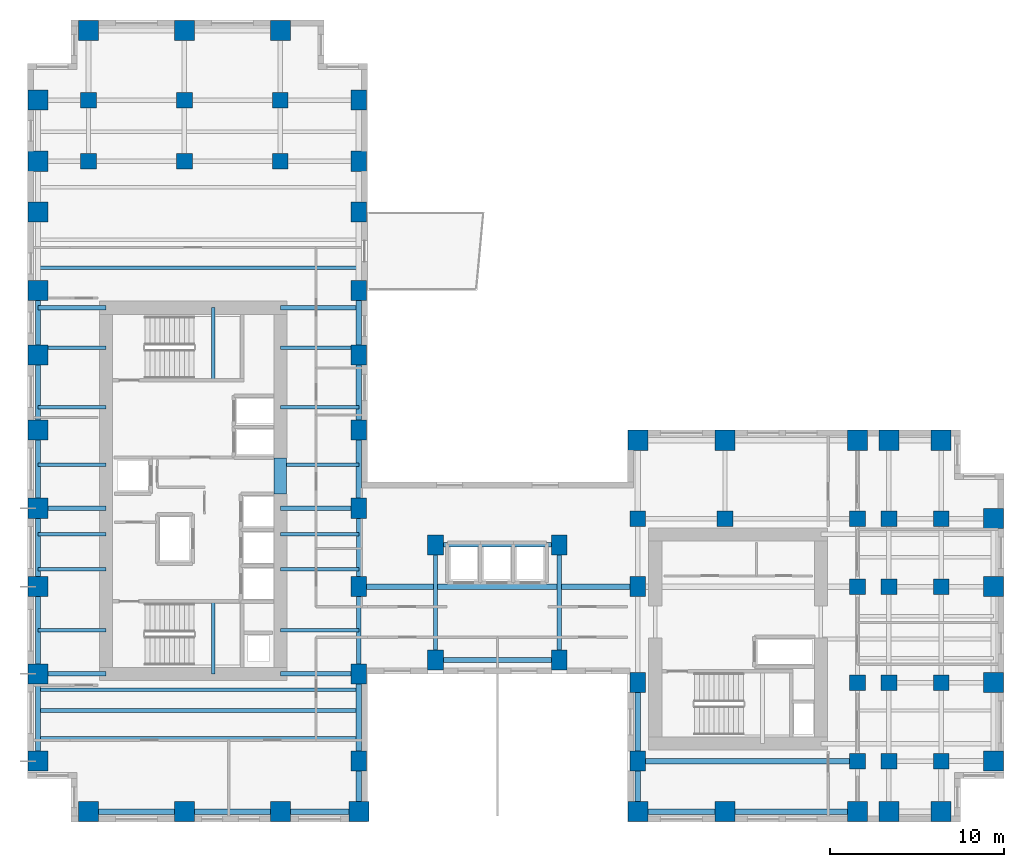
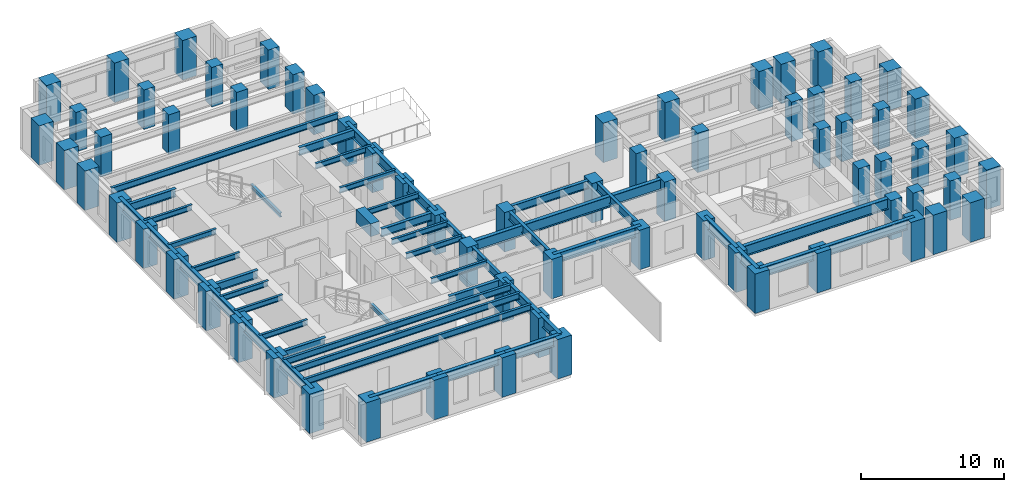
# One storey, part 1 of 11: 68 columns, 51 beams.
"""IFC4 building model written with IfcOpenShell, lengths in metres."""

from ifc_helpers import new_model, si_unit, direction, frame, origin, origin_2d, place, context, subcontext, project, spatial, rectangle, i_section, extrude, source, transform, mapped, material, material_profile, profile_set, type_object, element, save


model = new_model("IFC4")

# Units and contexts
model_context = context("Model", 3, precision=1e-05, world=origin(), true_north=direction((0.0, 1.0)))
body_context = subcontext(model_context, "Body", "Model", "MODEL_VIEW")
ifc_project = project(units=[si_unit("LENGTHUNIT", "METRE"), si_unit("AREAUNIT", "SQUARE_METRE"), si_unit("VOLUMEUNIT", "CUBIC_METRE"), si_unit("PLANEANGLEUNIT", "RADIAN"), si_unit("MASSUNIT", "GRAM", prefix="KILO")], contexts=[model_context])

# Site, building, storey
site_placement = place(None, origin())
site = spatial("IfcSite", under=ifc_project, at=site_placement, CompositionType="ELEMENT")
building_placement = place(site_placement, origin())
building = spatial("IfcBuilding", under=site, at=building_placement, Name="Kharzan Plaza Tower", CompositionType="ELEMENT")
storey_placement = place(building_placement, frame((0.0, 0.0, 99.0)))
storey = spatial("IfcBuildingStorey", under=building, at=storey_placement, Name="L26", CompositionType="ELEMENT", Elevation=99.0)

# Columns
ifc_material_1 = material(Name="Concrete C50/60", Category="concrete")
ifc_material_profile_1 = material_profile(ifc_material_1, rectangle(XDim=0.89990234375, YDim=0.89990234375, at=origin_2d()), Name="RC-IC900x900")
ifc_profile_set_1 = profile_set([ifc_material_profile_1], Name="Concrete C50/60")
column_type_1 = type_object("IfcColumnType", Name="COL-IC900", PredefinedType="COLUMN", material=ifc_profile_set_1)
shared_shape_1 = source(origin(), body_context, "Body", "SweptSolid", [
    extrude(rectangle(XDim=0.89990234375, YDim=0.89990234375, at=origin_2d()), origin(), (0.0, 0.0, 1.0), 3.3798828125),
])
for number, where, z_axis, x_axis, name in (
    (1, (47.60009765625, 13.5, 0.0), (0.0, 0.0, 1.0), (1.0, 0.0, 0.0), "L26 Structural Column TCBI-135"),
    (2, (47.60009765625, 3.5, 0.0), (0.0, 0.0, 1.0), (1.0, 0.0, 0.0), "L26 Structural Column TCBI-35"),
    (3, (47.60009765625, 8.0, 0.0), (0.0, 0.0, 1.0), (1.0, 0.0, 0.0), "L26 Structural Column TCBI-80"),
    (4, (35.0, 17.39990234375, 0.0), (0.0, 0.0, 1.0), (1.0, 0.0, 0.0), "L26 Structural Column TCBN-350-174"),
    (5, (40.0, 17.39990234375, 0.0), (0.0, 0.0, 1.0), (1.0, 0.0, 0.0), "L26 Structural Column TCBN-400-174"),
    (6, (47.60009765625, 17.39990234375, 0.0), (0.0, 0.0, 1.0), (1.0, 0.0, 0.0), "L26 Structural Column TCBN-476-174"),
    (7, (49.39990234375, 13.5, 0.0), (0.0, 0.0, 1.0), (1.0, 0.0, 0.0), "L26 Structural Column TCE-494-135"),
    (8, (49.39990234375, 17.39990234375, 0.0), (0.0, 0.0, 1.0), (1.0, 0.0, 0.0), "L26 Structural Column TCE-494-174"),
    (9, (49.39990234375, 3.5, 0.0), (0.0, 0.0, 1.0), (1.0, 0.0, 0.0), "L26 Structural Column TCE-494-35"),
    (10, (49.39990234375, 8.0, 0.0), (0.0, 0.0, 1.0), (1.0, 0.0, 0.0), "L26 Structural Column TCE-494-80"),
    (11, (52.39990234375, 13.5, 0.0), (0.0, 0.0, 1.0), (1.0, 0.0, 0.0), "L26 Structural Column TCE-524-135"),
    (12, (52.39990234375, 17.39990234375, 0.0), (0.0, 0.0, 1.0), (1.0, 0.0, 0.0), "L26 Structural Column TCE-524-174"),
    (13, (52.39990234375, 3.5, 0.0), (0.0, 0.0, 1.0), (1.0, 0.0, 0.0), "L26 Structural Column TCE-524-35"),
    (14, (52.39990234375, 8.0, 0.0), (0.0, 0.0, 1.0), (1.0, 0.0, 0.0), "L26 Structural Column TCE-524-80"),
    (15, (14.5, 37.89990234375, 0.0), (0.0, 0.0, 1.0), (1.0, 0.0, 0.0), "L26 Structural Column TCN-145-379"),
    (16, (14.5, 41.39990234375, 0.0), (0.0, 0.0, 1.0), (1.0, 0.0, 0.0), "L26 Structural Column TCN-145-414"),
    (17, (3.5, 37.89990234375, 0.0), (0.0, 0.0, 1.0), (1.0, 0.0, 0.0), "L26 Structural Column TCN-35-379"),
    (18, (3.5, 41.39990234375, 0.0), (0.0, 0.0, 1.0), (1.0, 0.0, 0.0), "L26 Structural Column TCN-35-414"),
    (19, (9.0, 37.89990234375, 0.0), (0.0, 0.0, 1.0), (1.0, 0.0, 0.0), "L26 Structural Column TCN-90-379"),
    (20, (9.0, 41.39990234375, 0.0), (0.0, 0.0, 1.0), (1.0, 0.0, 0.0), "L26 Structural Column TCN-90-414"),
):
    element("IfcColumn", number, at=place(storey_placement, frame(where, z_axis=z_axis, x_axis=x_axis)), inside=storey, type_object=column_type_1, Name=name, PredefinedType="COLUMN", context=body_context, shape_type="MappedRepresentation", body=[
        mapped(shared_shape_1, transform((0.0, 0.0, 0.0), x_axis=(1.0, 0.0, 0.0), y_axis=(0.0, 1.0, 0.0), z_axis=(0.0, 0.0, 1.0))),
    ])
ifc_material_2 = material(Name="Concrete C60/75", Category="concrete")
ifc_material_profile_2 = material_profile(ifc_material_2, rectangle(XDim=0.89990234375, YDim=1.14990234375, at=origin_2d()), Name="RC-SC1150x900")
ifc_profile_set_2 = profile_set([ifc_material_profile_2], Name="Concrete C60/75")
column_type_2 = type_object("IfcColumnType", Name="COL-SC1150", PredefinedType="COLUMN", material=ifc_profile_set_2)
shared_shape_2 = source(origin(), body_context, "Body", "SweptSolid", [
    extrude(rectangle(XDim=0.89990234375, YDim=1.14990234375, at=origin_2d()), origin(), (0.0, 0.0, 1.0), 3.3798828125),
])
for number, where, z_axis, x_axis, name in (
    (21, (19.0, 13.5, 0.0), (0.0, 0.0, 1.0), (1.0, 0.0, 0.0), "L26 Structural Column TCA-135"),
    (22, (19.0, 18.0, 0.0), (0.0, 0.0, 1.0), (1.0, 0.0, 0.0), "L26 Structural Column TCA-180"),
    (23, (19.0, 22.5, 0.0), (0.0, 0.0, 1.0), (1.0, 0.0, 0.0), "L26 Structural Column TCA-225"),
    (24, (19.0, 26.800048828125, 0.0), (0.0, 0.0, 1.0), (1.0, 0.0, 0.0), "L26 Structural Column TCA-268"),
    (25, (19.0, 30.5, 0.0), (0.0, 0.0, 1.0), (1.0, 0.0, 0.0), "L26 Structural Column TCA-305"),
    (26, (19.0, 3.5, 0.0), (0.0, 0.0, 1.0), (1.0, 0.0, 0.0), "L26 Structural Column TCA-35"),
    (27, (19.0, 35.0, 0.0), (0.0, 0.0, 1.0), (1.0, 0.0, 0.0), "L26 Structural Column TCA-350"),
    (28, (19.0, 37.89990234375, 0.0), (0.0, 0.0, 1.0), (1.0, 0.0, 0.0), "L26 Structural Column TCA-379"),
    (29, (19.0, 41.39990234375, 0.0), (0.0, 0.0, 1.0), (1.0, 0.0, 0.0), "L26 Structural Column TCA-414"),
    (30, (19.0, 8.5, 0.0), (0.0, 0.0, 1.0), (1.0, 0.0, 0.0), "L26 Structural Column TCA-85"),
    (31, (35.0, 13.5, 0.0), (0.0, 0.0, 1.0), (1.0, 0.0, 0.0), "L26 Structural Column TCBS-135"),
    (32, (35.0, 3.5, 0.0), (0.0, 0.0, 1.0), (1.0, 0.0, 0.0), "L26 Structural Column TCBS-35"),
    (33, (35.0, 8.0, 0.0), (0.0, 0.0, 1.0), (1.0, 0.0, 0.0), "L26 Structural Column TCBS-80"),
    (34, (23.39990234375, 15.89990234375, 0.0), (0.0, 0.0, 1.0), (1.0, 0.0, 0.0), "L26 Structural Column TCSP-234-159"),
    (35, (23.39990234375, 9.300048828125, 0.0), (0.0, 0.0, 1.0), (1.0, 0.0, 0.0), "L26 Structural Column TCSP-234-93"),
    (36, (30.5, 15.89990234375, 0.0), (0.0, 0.0, 1.0), (1.0, 0.0, 0.0), "L26 Structural Column TCSP-305-159"),
    (37, (30.5, 9.300048828125, 0.0), (0.0, 0.0, 1.0), (1.0, 0.0, 0.0), "L26 Structural Column TCSP-305-93"),
):
    element("IfcColumn", number, at=place(storey_placement, frame(where, z_axis=z_axis, x_axis=x_axis)), inside=storey, type_object=column_type_2, Name=name, PredefinedType="COLUMN", context=body_context, shape_type="MappedRepresentation", body=[
        mapped(shared_shape_2, transform((0.0, 0.0, 0.0), x_axis=(1.0, 0.0, 0.0), y_axis=(0.0, 1.0, 0.0), z_axis=(0.0, 0.0, 1.0))),
    ])
ifc_material_profile_3 = material_profile(ifc_material_2, rectangle(XDim=1.14990234375, YDim=1.14990234375, at=origin_2d()), Name="RC-TC1150x1150")
ifc_profile_set_3 = profile_set([ifc_material_profile_3], Name="Concrete C60/75")
column_type_3 = type_object("IfcColumnType", Name="COL-TC1150", PredefinedType="COLUMN", material=ifc_profile_set_3)
shared_shape_3 = source(origin(), body_context, "Body", "SweptSolid", [
    extrude(rectangle(XDim=1.14990234375, YDim=1.14990234375, at=origin_2d()), origin(), (0.0, 0.0, 1.0), 3.3798828125),
])
for number, where, z_axis, x_axis, name in (
    (38, (35.0, 21.89990234375, 0.0), (0.0, 0.0, 1.0), (1.0, 0.0, 0.0), "L26 Structural Column TCBN-350-219"),
    (39, (40.0, 21.89990234375, 0.0), (0.0, 0.0, 1.0), (1.0, 0.0, 0.0), "L26 Structural Column TCBN-400-219"),
    (40, (47.60009765625, 21.89990234375, 0.0), (0.0, 0.0, 1.0), (1.0, 0.0, 0.0), "L26 Structural Column TCBN-476-219"),
    (41, (49.39990234375, 21.89990234375, 0.0), (0.0, 0.0, 1.0), (1.0, 0.0, 0.0), "L26 Structural Column TCBN-494-219"),
    (42, (52.39990234375, 21.89990234375, 0.0), (0.0, 0.0, 1.0), (1.0, 0.0, 0.0), "L26 Structural Column TCBN-524-219"),
    (43, (55.39990234375, 13.5, 0.0), (0.0, 0.0, 1.0), (1.0, 0.0, 0.0), "L26 Structural Column TCE-554-135"),
    (44, (55.39990234375, 17.39990234375, 0.0), (0.0, 0.0, 1.0), (1.0, 0.0, 0.0), "L26 Structural Column TCE-554-174"),
    (45, (55.39990234375, 3.5, 0.0), (0.0, 0.0, 1.0), (1.0, 0.0, 0.0), "L26 Structural Column TCE-554-35"),
    (46, (55.39990234375, 8.0, 0.0), (0.0, 0.0, 1.0), (1.0, 0.0, 0.0), "L26 Structural Column TCE-554-80"),
    (47, (14.5, 45.39990234375, 0.0), (0.0, 0.0, 1.0), (1.0, 0.0, 0.0), "L26 Structural Column TCN-145-454"),
    (48, (3.5, 45.39990234375, 0.0), (0.0, 0.0, 1.0), (1.0, 0.0, 0.0), "L26 Structural Column TCN-35-454"),
    (49, (9.0, 45.39990234375, 0.0), (0.0, 0.0, 1.0), (1.0, 0.0, 0.0), "L26 Structural Column TCN-90-454"),
    (50, (14.5, 0.60009765625, 0.0), (0.0, 0.0, 1.0), (1.0, 0.0, 0.0), "L26 Structural Column TCS-145"),
    (51, (19.0, 0.60009765625, 0.0), (0.0, 0.0, 1.0), (1.0, 0.0, 0.0), "L26 Structural Column TCS-190"),
    (52, (3.5, 0.60009765625, 0.0), (0.0, 0.0, 1.0), (1.0, 0.0, 0.0), "L26 Structural Column TCS-35"),
    (53, (35.0, 0.60009765625, 0.0), (0.0, 0.0, 1.0), (1.0, 0.0, 0.0), "L26 Structural Column TCS-350"),
    (54, (40.0, 0.60009765625, 0.0), (0.0, 0.0, 1.0), (1.0, 0.0, 0.0), "L26 Structural Column TCS-400"),
    (55, (47.60009765625, 0.60009765625, 0.0), (0.0, 0.0, 1.0), (1.0, 0.0, 0.0), "L26 Structural Column TCS-476"),
    (56, (49.39990234375, 0.60009765625, 0.0), (0.0, 0.0, 1.0), (1.0, 0.0, 0.0), "L26 Structural Column TCS-494"),
    (57, (52.39990234375, 0.60009765625, 0.0), (0.0, 0.0, 1.0), (1.0, 0.0, 0.0), "L26 Structural Column TCS-524"),
    (58, (9.0, 0.60009765625, 0.0), (0.0, 0.0, 1.0), (1.0, 0.0, 0.0), "L26 Structural Column TCS-90"),
    (59, (0.60009765625, 13.5, 0.0), (0.0, 0.0, 1.0), (1.0, 0.0, 0.0), "L26 Structural Column TCW-135"),
    (60, (0.60009765625, 18.0, 0.0), (0.0, 0.0, 1.0), (1.0, 0.0, 0.0), "L26 Structural Column TCW-180"),
    (61, (0.60009765625, 22.5, 0.0), (0.0, 0.0, 1.0), (1.0, 0.0, 0.0), "L26 Structural Column TCW-225"),
    (62, (0.60009765625, 26.800048828125, 0.0), (0.0, 0.0, 1.0), (1.0, 0.0, 0.0), "L26 Structural Column TCW-268"),
    (63, (0.60009765625, 30.5, 0.0), (0.0, 0.0, 1.0), (1.0, 0.0, 0.0), "L26 Structural Column TCW-305"),
    (64, (0.60009765625, 3.5, 0.0), (0.0, 0.0, 1.0), (1.0, 0.0, 0.0), "L26 Structural Column TCW-35"),
    (65, (0.60009765625, 35.0, 0.0), (0.0, 0.0, 1.0), (1.0, 0.0, 0.0), "L26 Structural Column TCW-350"),
    (66, (0.60009765625, 37.89990234375, 0.0), (0.0, 0.0, 1.0), (1.0, 0.0, 0.0), "L26 Structural Column TCW-379"),
    (67, (0.60009765625, 41.39990234375, 0.0), (0.0, 0.0, 1.0), (1.0, 0.0, 0.0), "L26 Structural Column TCW-414"),
    (68, (0.60009765625, 8.5, 0.0), (0.0, 0.0, 1.0), (1.0, 0.0, 0.0), "L26 Structural Column TCW-85"),
):
    element("IfcColumn", number, at=place(storey_placement, frame(where, z_axis=z_axis, x_axis=x_axis)), inside=storey, type_object=column_type_3, Name=name, PredefinedType="COLUMN", context=body_context, shape_type="MappedRepresentation", body=[
        mapped(shared_shape_3, transform((0.0, 0.0, 0.0), x_axis=(1.0, 0.0, 0.0), y_axis=(0.0, 1.0, 0.0), z_axis=(0.0, 0.0, 1.0))),
    ])

# Beams
ifc_material_profile_4 = material_profile(ifc_material_2, rectangle(XDim=0.699951171875, YDim=1.10009765625, at=origin_2d()), Name="RC-CB1100x700")
ifc_profile_set_4 = profile_set([ifc_material_profile_4], Name="Concrete C60/75")
beam_type_1 = type_object("IfcBeamType", Name="BM-RCCB1100", PredefinedType="LINTEL", material=ifc_profile_set_4)
shared_shape_4 = source(origin(), body_context, "Body", "SweptSolid", [
    extrude(rectangle(XDim=0.699951171875, YDim=1.10009765625, at=origin_2d()), origin(), (0.0, 0.0, 1.0), 2.059814453125),
])
beam_1_placement = place(storey_placement, frame((14.5, 18.820068359375, 2.830078125), z_axis=(0.0, 1.0, 0.0), x_axis=(-1.0, 0.0, 0.0)))
element("IfcBeam", 69, at=beam_1_placement, inside=storey, type_object=beam_type_1, Name="L26 CORE-A RC coupling beam CB1", PredefinedType="LINTEL", context=body_context, shape_type="MappedRepresentation", body=[
    mapped(shared_shape_4, transform((0.0, 0.0, 0.0), x_axis=(1.0, 0.0, 0.0), y_axis=(0.0, 1.0, 0.0), z_axis=(0.0, 0.0, 1.0))),
])
ifc_material_3 = material(Name="Steel S355", Category="steel")
ifc_material_profile_5 = material_profile(ifc_material_3, i_section(OverallWidth=0.205078125, OverallDepth=0.35400390625, WebThickness=0.009521484375, FlangeThickness=0.016845703125, at=origin_2d()), Name="W360x79")
ifc_profile_set_5 = profile_set([ifc_material_profile_5], Name="Steel S355")
beam_type_2 = type_object("IfcBeamType", Name="BM-LNT360", PredefinedType="LINTEL", material=ifc_profile_set_5)
shared_shape_5 = source(origin(), body_context, "Body", "SweptSolid", [
    extrude(i_section(OverallWidth=0.205078125, OverallDepth=0.35400390625, WebThickness=0.009521484375, FlangeThickness=0.016845703125, at=origin_2d()), origin(), (0.0, 0.0, 1.0), 4.155029296875),
])
for number, where, z_axis, x_axis, name in (
    (70, (10.64990234375, 8.5, 1.423095703125), (0.0, 1.0, 0.0), (-1.0, 0.0, 0.0), "L26 Stair ST-1 Half-Landing Beam"),
    (71, (10.64990234375, 25.344970703125, 1.423095703125), (0.0, 1.0, 0.0), (-1.0, 0.0, 0.0), "L26 Stair ST-2 Half-Landing Beam"),
):
    element("IfcBeam", number, at=place(storey_placement, frame(where, z_axis=z_axis, x_axis=x_axis)), inside=storey, type_object=beam_type_2, Name=name, PredefinedType="LINTEL", context=body_context, shape_type="MappedRepresentation", body=[
        mapped(shared_shape_5, transform((0.0, 0.0, 0.0), x_axis=(1.0, 0.0, 0.0), y_axis=(0.0, 1.0, 0.0), z_axis=(0.0, 0.0, 1.0))),
    ])
ifc_material_profile_6 = material_profile(ifc_material_3, i_section(OverallWidth=0.304931640625, OverallDepth=0.9189453125, WebThickness=0.017333984375, FlangeThickness=0.02783203125, at=origin_2d()), Name="W920x253")
ifc_profile_set_6 = profile_set([ifc_material_profile_6], Name="Steel S355")
beam_type_3 = type_object("IfcBeamType", Name="BM-FG920B", PredefinedType="BEAM", material=ifc_profile_set_6)
shared_shape_6 = source(origin(), body_context, "Body", "SweptSolid", [
    extrude(i_section(OverallWidth=0.304931640625, OverallDepth=0.9189453125, WebThickness=0.017333984375, FlangeThickness=0.02783203125, at=origin_2d()), origin(), (0.0, 0.0, 1.0), 12.60009765625),
])
beam_2_placement = place(storey_placement, frame((35.0, 3.5, 2.92041015625), z_axis=(1.0, 0.0, 0.0), x_axis=(0.0, 1.0, 0.0)))
element("IfcBeam", 72, at=beam_2_placement, inside=storey, type_object=beam_type_3, Name="L26 Primary Floor Girder", PredefinedType="BEAM", context=body_context, shape_type="MappedRepresentation", body=[
    mapped(shared_shape_6, transform((0.0, 0.0, 0.0), x_axis=(1.0, 0.0, 0.0), y_axis=(0.0, 1.0, 0.0), z_axis=(0.0, 0.0, 1.0))),
])
shared_shape_7 = source(origin(), body_context, "Body", "SweptSolid", [
    extrude(i_section(OverallWidth=0.304931640625, OverallDepth=0.9189453125, WebThickness=0.017333984375, FlangeThickness=0.02783203125, at=origin_2d()), origin(), (0.0, 0.0, 1.0), 16.0),
])
beam_3_placement = place(storey_placement, frame((19.0, 13.5, 2.92041015625), z_axis=(1.0, 0.0, 0.0), x_axis=(0.0, 1.0, 0.0)))
element("IfcBeam", 73, at=beam_3_placement, inside=storey, type_object=beam_type_3, Name="L26 Primary Floor Girder", PredefinedType="BEAM", context=body_context, shape_type="MappedRepresentation", body=[
    mapped(shared_shape_7, transform((0.0, 0.0, 0.0), x_axis=(1.0, 0.0, 0.0), y_axis=(0.0, 1.0, 0.0), z_axis=(0.0, 0.0, 1.0))),
])
ifc_material_profile_7 = material_profile(ifc_material_3, i_section(OverallWidth=0.2099609375, OverallDepth=0.537109375, WebThickness=0.010986328125, FlangeThickness=0.017333984375, at=origin_2d()), Name="W530x101")
ifc_profile_set_7 = profile_set([ifc_material_profile_7], Name="Steel S355")
beam_type_4 = type_object("IfcBeamType", Name="BM-JST530B", PredefinedType="JOIST", material=ifc_profile_set_7)
shared_shape_8 = source(origin(), body_context, "Body", "SweptSolid", [
    extrude(i_section(OverallWidth=0.2099609375, OverallDepth=0.537109375, WebThickness=0.010986328125, FlangeThickness=0.017333984375, at=origin_2d()), origin(), (0.0, 0.0, 1.0), 18.39990234375),
])
for number, where, z_axis, x_axis, name in (
    (74, (0.60009765625, 4.800048828125, 3.111572265625), (1.0, 0.0, 0.0), (0.0, 1.0, 0.0), "L26 Wing A Composite Joist 01"),
    (75, (0.60009765625, 6.39990234375, 3.111572265625), (1.0, 0.0, 0.0), (0.0, 1.0, 0.0), "L26 Wing A Composite Joist 02"),
    (76, (0.60009765625, 7.60009765625, 3.111572265625), (1.0, 0.0, 0.0), (0.0, 1.0, 0.0), "L26 Wing A Composite Joist 03"),
    (77, (0.60009765625, 31.800048828125, 3.111572265625), (1.0, 0.0, 0.0), (0.0, 1.0, 0.0), "L26 Wing A Composite Joist 04"),
):
    element("IfcBeam", number, at=place(storey_placement, frame(where, z_axis=z_axis, x_axis=x_axis)), inside=storey, type_object=beam_type_4, Name=name, PredefinedType="JOIST", context=body_context, shape_type="MappedRepresentation", body=[
        mapped(shared_shape_8, transform((0.0, 0.0, 0.0), x_axis=(1.0, 0.0, 0.0), y_axis=(0.0, 1.0, 0.0), z_axis=(0.0, 0.0, 1.0))),
    ])
ifc_material_profile_8 = material_profile(ifc_material_3, i_section(OverallWidth=0.194091796875, OverallDepth=0.468994140625, WebThickness=0.011474609375, FlangeThickness=0.0205078125, at=origin_2d()), Name="W460x106")
ifc_profile_set_8 = profile_set([ifc_material_profile_8], Name="Steel S355")
beam_type_5 = type_object("IfcBeamType", Name="BM-JST460", PredefinedType="JOIST", material=ifc_profile_set_8)
shared_shape_9 = source(origin(), body_context, "Body", "SweptSolid", [
    extrude(i_section(OverallWidth=0.194091796875, OverallDepth=0.468994140625, WebThickness=0.011474609375, FlangeThickness=0.0205078125, at=origin_2d()), origin(), (0.0, 0.0, 1.0), 4.5),
])
for number, where, z_axis, x_axis, name in (
    (78, (14.5, 11.0, 3.1455078125), (1.0, 0.0, 0.0), (0.0, 1.0, 0.0), "L26 Wing A East Infill Joist 1"),
    (79, (14.5, 14.5, 3.1455078125), (1.0, 0.0, 0.0), (0.0, 1.0, 0.0), "L26 Wing A East Infill Joist 2"),
    (80, (14.5, 16.5, 3.1455078125), (1.0, 0.0, 0.0), (0.0, 1.0, 0.0), "L26 Wing A East Infill Joist 3"),
    (81, (14.5, 20.5, 3.1455078125), (1.0, 0.0, 0.0), (0.0, 1.0, 0.0), "L26 Wing A East Infill Joist 4"),
    (82, (14.5, 23.800048828125, 3.1455078125), (1.0, 0.0, 0.0), (0.0, 1.0, 0.0), "L26 Wing A East Infill Joist 5"),
    (83, (14.5, 27.199951171875, 3.1455078125), (1.0, 0.0, 0.0), (0.0, 1.0, 0.0), "L26 Wing A East Infill Joist 6"),
):
    element("IfcBeam", number, at=place(storey_placement, frame(where, z_axis=z_axis, x_axis=x_axis)), inside=storey, type_object=beam_type_5, Name=name, PredefinedType="JOIST", context=body_context, shape_type="MappedRepresentation", body=[
        mapped(shared_shape_9, transform((0.0, 0.0, 0.0), x_axis=(1.0, 0.0, 0.0), y_axis=(0.0, 1.0, 0.0), z_axis=(0.0, 0.0, 1.0))),
    ])
shared_shape_10 = source(origin(), body_context, "Body", "SweptSolid", [
    extrude(i_section(OverallWidth=0.194091796875, OverallDepth=0.468994140625, WebThickness=0.011474609375, FlangeThickness=0.0205078125, at=origin_2d()), origin(), (0.0, 0.0, 1.0), 3.89990234375),
])
for number, where, z_axis, x_axis, name in (
    (84, (0.60009765625, 11.0, 3.1455078125), (1.0, 0.0, 0.0), (0.0, 1.0, 0.0), "L26 Wing A West Infill Joist 1"),
    (85, (0.60009765625, 14.5, 3.1455078125), (1.0, 0.0, 0.0), (0.0, 1.0, 0.0), "L26 Wing A West Infill Joist 2"),
    (86, (0.60009765625, 16.5, 3.1455078125), (1.0, 0.0, 0.0), (0.0, 1.0, 0.0), "L26 Wing A West Infill Joist 3"),
    (87, (0.60009765625, 20.5, 3.1455078125), (1.0, 0.0, 0.0), (0.0, 1.0, 0.0), "L26 Wing A West Infill Joist 4"),
    (88, (0.60009765625, 23.800048828125, 3.1455078125), (1.0, 0.0, 0.0), (0.0, 1.0, 0.0), "L26 Wing A West Infill Joist 5"),
    (89, (0.60009765625, 27.199951171875, 3.1455078125), (1.0, 0.0, 0.0), (0.0, 1.0, 0.0), "L26 Wing A West Infill Joist 6"),
):
    element("IfcBeam", number, at=place(storey_placement, frame(where, z_axis=z_axis, x_axis=x_axis)), inside=storey, type_object=beam_type_5, Name=name, PredefinedType="JOIST", context=body_context, shape_type="MappedRepresentation", body=[
        mapped(shared_shape_10, transform((0.0, 0.0, 0.0), x_axis=(1.0, 0.0, 0.0), y_axis=(0.0, 1.0, 0.0), z_axis=(0.0, 0.0, 1.0))),
    ])
ifc_material_profile_9 = material_profile(ifc_material_3, i_section(OverallWidth=0.25390625, OverallDepth=0.68798828125, WebThickness=0.01318359375, FlangeThickness=0.02099609375, at=origin_2d()), Name="W690x152")
ifc_profile_set_9 = profile_set([ifc_material_profile_9], Name="Steel S355")
beam_type_6 = type_object("IfcBeamType", Name="BM-FG690B", PredefinedType="BEAM", material=ifc_profile_set_9)
shared_shape_11 = source(origin(), body_context, "Body", "SweptSolid", [
    extrude(i_section(OverallWidth=0.25390625, OverallDepth=0.68798828125, WebThickness=0.01318359375, FlangeThickness=0.02099609375, at=origin_2d()), origin(), (0.0, 0.0, 1.0), 4.5),
])
for number, where, z_axis, x_axis, name in (
    (90, (14.5, 8.5, 3.035888671875), (1.0, 0.0, 0.0), (0.0, 1.0, 0.0), "L26 Core-A East Floor Girder 1"),
    (91, (14.5, 18.0, 3.035888671875), (1.0, 0.0, 0.0), (0.0, 1.0, 0.0), "L26 Core-A East Floor Girder 2"),
    (92, (14.5, 29.5, 3.035888671875), (1.0, 0.0, 0.0), (0.0, 1.0, 0.0), "L26 Core-A East Floor Girder 3"),
    (93, (19.0, 13.5, 3.035888671875), (0.0, 1.0, 0.0), (-1.0, 0.0, 0.0), "L26 Interior Frame Girder"),
):
    element("IfcBeam", number, at=place(storey_placement, frame(where, z_axis=z_axis, x_axis=x_axis)), inside=storey, type_object=beam_type_6, Name=name, PredefinedType="BEAM", context=body_context, shape_type="MappedRepresentation", body=[
        mapped(shared_shape_11, transform((0.0, 0.0, 0.0), x_axis=(1.0, 0.0, 0.0), y_axis=(0.0, 1.0, 0.0), z_axis=(0.0, 0.0, 1.0))),
    ])
shared_shape_12 = source(origin(), body_context, "Body", "SweptSolid", [
    extrude(i_section(OverallWidth=0.25390625, OverallDepth=0.68798828125, WebThickness=0.01318359375, FlangeThickness=0.02099609375, at=origin_2d()), origin(), (0.0, 0.0, 1.0), 3.89990234375),
])
for number, where, z_axis, x_axis, name in (
    (94, (0.60009765625, 8.5, 3.035888671875), (1.0, 0.0, 0.0), (0.0, 1.0, 0.0), "L26 Core-A West Floor Girder 1"),
    (95, (0.60009765625, 18.0, 3.035888671875), (1.0, 0.0, 0.0), (0.0, 1.0, 0.0), "L26 Core-A West Floor Girder 2"),
    (96, (0.60009765625, 29.5, 3.035888671875), (1.0, 0.0, 0.0), (0.0, 1.0, 0.0), "L26 Core-A West Floor Girder 3"),
):
    element("IfcBeam", number, at=place(storey_placement, frame(where, z_axis=z_axis, x_axis=x_axis)), inside=storey, type_object=beam_type_6, Name=name, PredefinedType="BEAM", context=body_context, shape_type="MappedRepresentation", body=[
        mapped(shared_shape_12, transform((0.0, 0.0, 0.0), x_axis=(1.0, 0.0, 0.0), y_axis=(0.0, 1.0, 0.0), z_axis=(0.0, 0.0, 1.0))),
    ])
shared_shape_13 = source(origin(), body_context, "Body", "SweptSolid", [
    extrude(i_section(OverallWidth=0.25390625, OverallDepth=0.68798828125, WebThickness=0.01318359375, FlangeThickness=0.02099609375, at=origin_2d()), origin(), (0.0, 0.0, 1.0), 5.0),
])
beam_4_placement = place(storey_placement, frame((19.0, 8.5, 3.035888671875), z_axis=(0.0, 1.0, 0.0), x_axis=(-1.0, 0.0, 0.0)))
element("IfcBeam", 97, at=beam_4_placement, inside=storey, type_object=beam_type_6, Name="L26 Interior Frame Girder", PredefinedType="BEAM", context=body_context, shape_type="MappedRepresentation", body=[
    mapped(shared_shape_13, transform((0.0, 0.0, 0.0), x_axis=(1.0, 0.0, 0.0), y_axis=(0.0, 1.0, 0.0), z_axis=(0.0, 0.0, 1.0))),
])
shared_shape_14 = source(origin(), body_context, "Body", "SweptSolid", [
    extrude(i_section(OverallWidth=0.25390625, OverallDepth=0.68798828125, WebThickness=0.01318359375, FlangeThickness=0.02099609375, at=origin_2d()), origin(), (0.0, 0.0, 1.0), 6.599853515625),
])
for number, where, z_axis, x_axis, name in (
    (98, (23.39990234375, 9.300048828125, 3.035888671875), (0.0, 1.0, 0.0), (-1.0, 0.0, 0.0), "L26 Interior Frame Girder"),
    (99, (30.5, 9.300048828125, 3.035888671875), (0.0, 1.0, 0.0), (-1.0, 0.0, 0.0), "L26 Interior Frame Girder"),
):
    element("IfcBeam", number, at=place(storey_placement, frame(where, z_axis=z_axis, x_axis=x_axis)), inside=storey, type_object=beam_type_6, Name=name, PredefinedType="BEAM", context=body_context, shape_type="MappedRepresentation", body=[
        mapped(shared_shape_14, transform((0.0, 0.0, 0.0), x_axis=(1.0, 0.0, 0.0), y_axis=(0.0, 1.0, 0.0), z_axis=(0.0, 0.0, 1.0))),
    ])
shared_shape_15 = source(origin(), body_context, "Body", "SweptSolid", [
    extrude(i_section(OverallWidth=0.25390625, OverallDepth=0.68798828125, WebThickness=0.01318359375, FlangeThickness=0.02099609375, at=origin_2d()), origin(), (0.0, 0.0, 1.0), 7.10009765625),
])
beam_5_placement = place(storey_placement, frame((23.39990234375, 15.89990234375, 3.035888671875), z_axis=(1.0, 0.0, 0.0), x_axis=(0.0, 1.0, 0.0)))
element("IfcBeam", 100, at=beam_5_placement, inside=storey, type_object=beam_type_6, Name="L26 Primary Floor Girder", PredefinedType="BEAM", context=body_context, shape_type="MappedRepresentation", body=[
    mapped(shared_shape_15, transform((0.0, 0.0, 0.0), x_axis=(1.0, 0.0, 0.0), y_axis=(0.0, 1.0, 0.0), z_axis=(0.0, 0.0, 1.0))),
])
ifc_material_profile_10 = material_profile(ifc_material_3, i_section(OverallWidth=0.299072265625, OverallDepth=0.845947265625, WebThickness=0.015380859375, FlangeThickness=0.0244140625, at=origin_2d()), Name="W840x210")
ifc_profile_set_10 = profile_set([ifc_material_profile_10], Name="Steel S355")
beam_type_7 = type_object("IfcBeamType", Name="BM-SP840B", PredefinedType="SPANDREL", material=ifc_profile_set_10)
shared_shape_16 = source(origin(), body_context, "Body", "SweptSolid", [
    extrude(i_section(OverallWidth=0.299072265625, OverallDepth=0.845947265625, WebThickness=0.015380859375, FlangeThickness=0.0244140625, at=origin_2d()), origin(), (0.0, 0.0, 1.0), 5.0),
])
for number, where, z_axis, x_axis, name in (
    (101, (0.60009765625, 3.5, 2.95703125), (0.0, 1.0, 0.0), (-1.0, 0.0, 0.0), "L26 Perimeter Tube Spandrel"),
    (102, (0.60009765625, 8.5, 2.95703125), (0.0, 1.0, 0.0), (-1.0, 0.0, 0.0), "L26 Perimeter Tube Spandrel"),
    (103, (19.0, 3.5, 2.95703125), (0.0, 1.0, 0.0), (-1.0, 0.0, 0.0), "L26 Perimeter Tube Spandrel"),
    (104, (35.0, 0.60009765625, 2.95703125), (1.0, 0.0, 0.0), (0.0, 1.0, 0.0), "L26 Perimeter Tube Spandrel"),
):
    element("IfcBeam", number, at=place(storey_placement, frame(where, z_axis=z_axis, x_axis=x_axis)), inside=storey, type_object=beam_type_7, Name=name, PredefinedType="SPANDREL", context=body_context, shape_type="MappedRepresentation", body=[
        mapped(shared_shape_16, transform((0.0, 0.0, 0.0), x_axis=(1.0, 0.0, 0.0), y_axis=(0.0, 1.0, 0.0), z_axis=(0.0, 0.0, 1.0))),
    ])
shared_shape_17 = source(origin(), body_context, "Body", "SweptSolid", [
    extrude(i_section(OverallWidth=0.299072265625, OverallDepth=0.845947265625, WebThickness=0.015380859375, FlangeThickness=0.0244140625, at=origin_2d()), origin(), (0.0, 0.0, 1.0), 4.5),
])
for number, where, z_axis, x_axis, name in (
    (105, (0.60009765625, 13.5, 2.95703125), (0.0, 1.0, 0.0), (-1.0, 0.0, 0.0), "L26 Perimeter Tube Spandrel"),
    (106, (0.60009765625, 18.0, 2.95703125), (0.0, 1.0, 0.0), (-1.0, 0.0, 0.0), "L26 Perimeter Tube Spandrel"),
    (107, (19.0, 18.0, 2.95703125), (0.0, 1.0, 0.0), (-1.0, 0.0, 0.0), "L26 Perimeter Tube Spandrel"),
    (108, (35.0, 3.5, 2.95703125), (0.0, 1.0, 0.0), (-1.0, 0.0, 0.0), "L26 Perimeter Tube Spandrel"),
    (109, (14.5, 0.60009765625, 2.95703125), (1.0, 0.0, 0.0), (0.0, 1.0, 0.0), "L26 Perimeter Tube Spandrel"),
):
    element("IfcBeam", number, at=place(storey_placement, frame(where, z_axis=z_axis, x_axis=x_axis)), inside=storey, type_object=beam_type_7, Name=name, PredefinedType="SPANDREL", context=body_context, shape_type="MappedRepresentation", body=[
        mapped(shared_shape_17, transform((0.0, 0.0, 0.0), x_axis=(1.0, 0.0, 0.0), y_axis=(0.0, 1.0, 0.0), z_axis=(0.0, 0.0, 1.0))),
    ])
shared_shape_18 = source(origin(), body_context, "Body", "SweptSolid", [
    extrude(i_section(OverallWidth=0.299072265625, OverallDepth=0.845947265625, WebThickness=0.015380859375, FlangeThickness=0.0244140625, at=origin_2d()), origin(), (0.0, 0.0, 1.0), 4.300048828125),
])
for number, where, z_axis, x_axis, name in (
    (110, (0.60009765625, 22.5, 2.95703125), (0.0, 1.0, 0.0), (-1.0, 0.0, 0.0), "L26 Perimeter Tube Spandrel"),
    (111, (19.0, 22.5, 2.95703125), (0.0, 1.0, 0.0), (-1.0, 0.0, 0.0), "L26 Perimeter Tube Spandrel"),
):
    element("IfcBeam", number, at=place(storey_placement, frame(where, z_axis=z_axis, x_axis=x_axis)), inside=storey, type_object=beam_type_7, Name=name, PredefinedType="SPANDREL", context=body_context, shape_type="MappedRepresentation", body=[
        mapped(shared_shape_18, transform((0.0, 0.0, 0.0), x_axis=(1.0, 0.0, 0.0), y_axis=(0.0, 1.0, 0.0), z_axis=(0.0, 0.0, 1.0))),
    ])
shared_shape_19 = source(origin(), body_context, "Body", "SweptSolid", [
    extrude(i_section(OverallWidth=0.299072265625, OverallDepth=0.845947265625, WebThickness=0.015380859375, FlangeThickness=0.0244140625, at=origin_2d()), origin(), (0.0, 0.0, 1.0), 3.699951171875),
])
for number, where, z_axis, x_axis, name in (
    (112, (0.60009765625, 26.800048828125, 2.95703125), (0.0, 1.0, 0.0), (-1.0, 0.0, 0.0), "L26 Perimeter Tube Spandrel"),
    (113, (19.0, 26.800048828125, 2.95703125), (0.0, 1.0, 0.0), (-1.0, 0.0, 0.0), "L26 Perimeter Tube Spandrel"),
):
    element("IfcBeam", number, at=place(storey_placement, frame(where, z_axis=z_axis, x_axis=x_axis)), inside=storey, type_object=beam_type_7, Name=name, PredefinedType="SPANDREL", context=body_context, shape_type="MappedRepresentation", body=[
        mapped(shared_shape_19, transform((0.0, 0.0, 0.0), x_axis=(1.0, 0.0, 0.0), y_axis=(0.0, 1.0, 0.0), z_axis=(0.0, 0.0, 1.0))),
    ])
shared_shape_20 = source(origin(), body_context, "Body", "SweptSolid", [
    extrude(i_section(OverallWidth=0.299072265625, OverallDepth=0.845947265625, WebThickness=0.015380859375, FlangeThickness=0.0244140625, at=origin_2d()), origin(), (0.0, 0.0, 1.0), 2.89990234375),
])
for number, where, z_axis, x_axis, name in (
    (114, (19.0, 0.60009765625, 2.95703125), (0.0, 1.0, 0.0), (-1.0, 0.0, 0.0), "L26 Perimeter Tube Spandrel"),
    (115, (35.0, 0.60009765625, 2.95703125), (0.0, 1.0, 0.0), (-1.0, 0.0, 0.0), "L26 Perimeter Tube Spandrel"),
):
    element("IfcBeam", number, at=place(storey_placement, frame(where, z_axis=z_axis, x_axis=x_axis)), inside=storey, type_object=beam_type_7, Name=name, PredefinedType="SPANDREL", context=body_context, shape_type="MappedRepresentation", body=[
        mapped(shared_shape_20, transform((0.0, 0.0, 0.0), x_axis=(1.0, 0.0, 0.0), y_axis=(0.0, 1.0, 0.0), z_axis=(0.0, 0.0, 1.0))),
    ])
shared_shape_21 = source(origin(), body_context, "Body", "SweptSolid", [
    extrude(i_section(OverallWidth=0.299072265625, OverallDepth=0.845947265625, WebThickness=0.015380859375, FlangeThickness=0.0244140625, at=origin_2d()), origin(), (0.0, 0.0, 1.0), 5.5),
])
for number, where, z_axis, x_axis, name in (
    (116, (3.5, 0.60009765625, 2.95703125), (1.0, 0.0, 0.0), (0.0, 1.0, 0.0), "L26 Perimeter Tube Spandrel"),
    (117, (9.0, 0.60009765625, 2.95703125), (1.0, 0.0, 0.0), (0.0, 1.0, 0.0), "L26 Perimeter Tube Spandrel"),
):
    element("IfcBeam", number, at=place(storey_placement, frame(where, z_axis=z_axis, x_axis=x_axis)), inside=storey, type_object=beam_type_7, Name=name, PredefinedType="SPANDREL", context=body_context, shape_type="MappedRepresentation", body=[
        mapped(shared_shape_21, transform((0.0, 0.0, 0.0), x_axis=(1.0, 0.0, 0.0), y_axis=(0.0, 1.0, 0.0), z_axis=(0.0, 0.0, 1.0))),
    ])
shared_shape_22 = source(origin(), body_context, "Body", "SweptSolid", [
    extrude(i_section(OverallWidth=0.299072265625, OverallDepth=0.845947265625, WebThickness=0.015380859375, FlangeThickness=0.0244140625, at=origin_2d()), origin(), (0.0, 0.0, 1.0), 7.60009765625),
])
beam_6_placement = place(storey_placement, frame((40.0, 0.60009765625, 2.95703125), z_axis=(1.0, 0.0, 0.0), x_axis=(0.0, 1.0, 0.0)))
element("IfcBeam", 118, at=beam_6_placement, inside=storey, type_object=beam_type_7, Name="L26 Perimeter Tube Spandrel", PredefinedType="SPANDREL", context=body_context, shape_type="MappedRepresentation", body=[
    mapped(shared_shape_22, transform((0.0, 0.0, 0.0), x_axis=(1.0, 0.0, 0.0), y_axis=(0.0, 1.0, 0.0), z_axis=(0.0, 0.0, 1.0))),
])
shared_shape_23 = source(origin(), body_context, "Body", "SweptSolid", [
    extrude(i_section(OverallWidth=0.299072265625, OverallDepth=0.845947265625, WebThickness=0.015380859375, FlangeThickness=0.0244140625, at=origin_2d()), origin(), (0.0, 0.0, 1.0), 7.10009765625),
])
beam_7_placement = place(storey_placement, frame((23.39990234375, 9.300048828125, 2.95703125), z_axis=(1.0, 0.0, 0.0), x_axis=(0.0, 1.0, 0.0)))
element("IfcBeam", 119, at=beam_7_placement, inside=storey, type_object=beam_type_7, Name="L26 Perimeter Tube Spandrel", PredefinedType="SPANDREL", context=body_context, shape_type="MappedRepresentation", body=[
    mapped(shared_shape_23, transform((0.0, 0.0, 0.0), x_axis=(1.0, 0.0, 0.0), y_axis=(0.0, 1.0, 0.0), z_axis=(0.0, 0.0, 1.0))),
])

save(model, "model.ifc")
